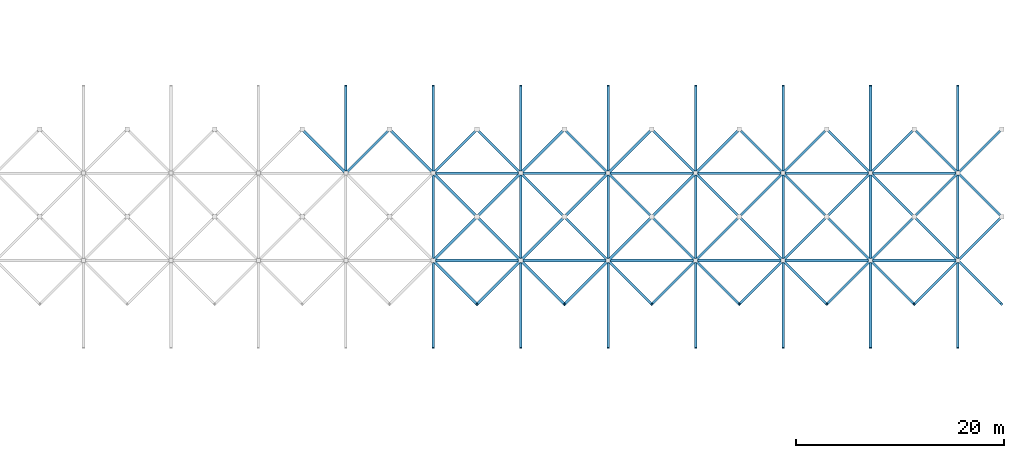
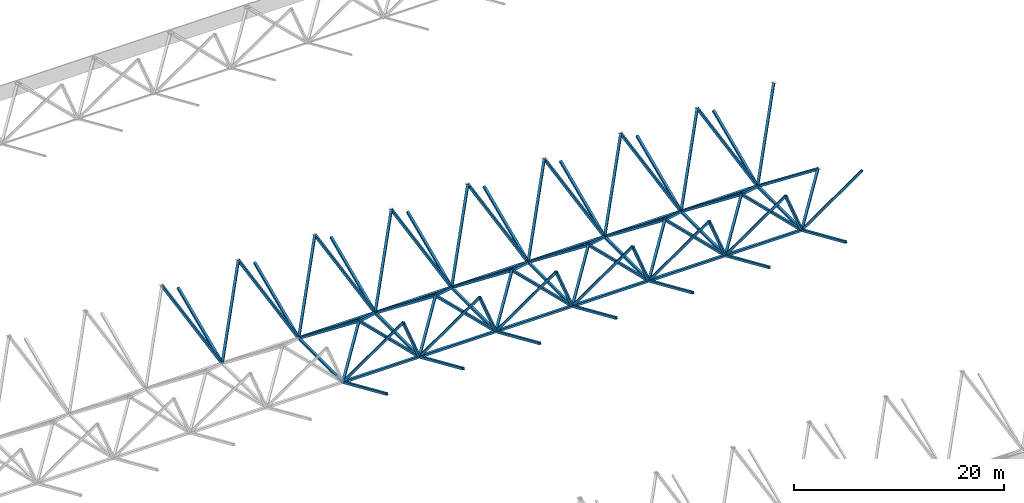
# One storey, part 24 of 85: 89 members.
"""IFC4 building model written with IfcOpenShell, lengths in metres."""

from ifc_helpers import new_model, si_unit, direction, frame, origin, origin_2d, place, context, subcontext, project, spatial, hollow_rectangle, extrude, material, material_profile, profile_set, type_object, element, save


model = new_model("IFC4")

# Units and contexts
model_context = context("Model", 3, precision=1e-05, world=origin(), true_north=direction((0.0, 1.0)))
body_context = subcontext(model_context, "Body", "Model", "MODEL_VIEW")
ifc_project = project(units=[si_unit("LENGTHUNIT", "METRE"), si_unit("AREAUNIT", "SQUARE_METRE"), si_unit("VOLUMEUNIT", "CUBIC_METRE"), si_unit("PLANEANGLEUNIT", "RADIAN"), si_unit("MASSUNIT", "GRAM", prefix="KILO")], contexts=[model_context])

# Site, building, storey
site_placement = place(None, origin())
site = spatial("IfcSite", under=ifc_project, at=site_placement, CompositionType="ELEMENT")
building_placement = place(site_placement, origin())
building = spatial("IfcBuilding", under=site, at=building_placement, Name="Rain Tree Exposition and Congress Centre", CompositionType="ELEMENT")
storey_placement = place(building_placement, frame((0.0, 0.0, 15.0)))
storey = spatial("IfcBuildingStorey", under=building, at=storey_placement, Name="L03", CompositionType="ELEMENT", Elevation=15.0)

# Members
ifc_material_1 = material(Name="Steel S355J2H", Category="steel")
ifc_material_profile_1 = material_profile(ifc_material_1, hollow_rectangle(XDim=0.25, YDim=0.25, WallThickness=0.006103515625, at=origin_2d()), Name="RHS 250x250x6")
ifc_profile_set_1 = profile_set([ifc_material_profile_1], Name="Steel S355J2H")
member_type_1 = type_object("IfcMemberType", Name="Steel brace member RHS 250x250x6", PredefinedType="BRACE", material=ifc_profile_set_1)
member_1_placement = place(storey_placement, frame((189.0, 147.0, 1.77294921875), z_axis=(0.422505540408, -0.422505540408, 0.801859175073), x_axis=(0.707106781187, 0.707106781187, 0.0)))
element("IfcMember", 1, at=member_1_placement, inside=storey, type_object=member_type_1, Name="Diagonal 699", PredefinedType="BRACE", context=body_context, shape_type="SweptSolid", body=[
    extrude(hollow_rectangle(XDim=0.25, YDim=0.25, WallThickness=0.006103515625, at=origin_2d()), origin(), (0.0, 0.0, 1.0), 9.940673828125),
])
member_2_placement = place(storey_placement, frame((189.0, 147.0, 1.77294921875), z_axis=(0.627852053381, 0.627852053381, 0.460003910993), x_axis=(-0.707106781187, 0.707106781187, 0.0)))
element("IfcMember", 2, at=member_2_placement, inside=storey, type_object=member_type_1, Name="Diagonal 701", PredefinedType="BRACE", context=body_context, shape_type="SweptSolid", body=[
    extrude(hollow_rectangle(XDim=0.25, YDim=0.25, WallThickness=0.006103515625, at=origin_2d()), origin(), (0.0, 0.0, 1.0), 6.689453125),
])
for number, where, z_axis, x_axis, name in (
    (3, (197.39990234375, 147.0, 1.77294921875), (-0.422505540408, -0.422505540408, 0.801859175073), (0.707106781187, -0.707106781187, 0.0), "Diagonal 704"),
    (4, (197.39990234375, 147.0, 1.77294921875), (0.422525715859, -0.422501156122, 0.801850854283), (0.70708622964, 0.707127332136, 0.0), "Diagonal 705"),
):
    element("IfcMember", number, at=place(storey_placement, frame(where, z_axis=z_axis, x_axis=x_axis)), inside=storey, type_object=member_type_1, Name=name, PredefinedType="BRACE", context=body_context, shape_type="SweptSolid", body=[
        extrude(hollow_rectangle(XDim=0.25, YDim=0.25, WallThickness=0.006103515625, at=origin_2d()), origin(), (0.0, 0.0, 1.0), 9.940673828125),
    ])
for number, where, z_axis, x_axis, name in (
    (5, (197.39990234375, 147.0, 1.77294921875), (-0.627852053381, 0.627852053381, 0.460003910993), (-0.707106781187, -0.707106781187, 0.0), "Diagonal 706"),
    (6, (197.39990234375, 147.0, 1.77294921875), (0.627874162364, 0.62783766654, 0.459993370288), (-0.70708622964, 0.707127332136, 0.0), "Diagonal 707"),
):
    element("IfcMember", number, at=place(storey_placement, frame(where, z_axis=z_axis, x_axis=x_axis)), inside=storey, type_object=member_type_1, Name=name, PredefinedType="BRACE", context=body_context, shape_type="SweptSolid", body=[
        extrude(hollow_rectangle(XDim=0.25, YDim=0.25, WallThickness=0.006103515625, at=origin_2d()), origin(), (0.0, 0.0, 1.0), 6.689453125),
    ])
for number, where, z_axis, x_axis, name in (
    (7, (205.800048828125, 147.0, 1.77294921875), (-0.422505540408, -0.422505540408, 0.801859175073), (0.707106781187, -0.707106781187, 0.0), "Diagonal 710"),
    (8, (205.800048828125, 147.0, 1.77294921875), (0.422505540408, -0.422505540408, 0.801859175073), (0.707106781187, 0.707106781187, 0.0), "Diagonal 711"),
):
    element("IfcMember", number, at=place(storey_placement, frame(where, z_axis=z_axis, x_axis=x_axis)), inside=storey, type_object=member_type_1, Name=name, PredefinedType="BRACE", context=body_context, shape_type="SweptSolid", body=[
        extrude(hollow_rectangle(XDim=0.25, YDim=0.25, WallThickness=0.006103515625, at=origin_2d()), origin(), (0.0, 0.0, 1.0), 9.940673828125),
    ])
for number, where, z_axis, x_axis, name in (
    (9, (205.800048828125, 147.0, 1.77294921875), (-0.627852053381, 0.627852053381, 0.460003910993), (-0.707106781187, -0.707106781187, 0.0), "Diagonal 712"),
    (10, (205.800048828125, 147.0, 1.77294921875), (0.627852053381, 0.627852053381, 0.460003910993), (-0.707106781187, 0.707106781187, 0.0), "Diagonal 713"),
):
    element("IfcMember", number, at=place(storey_placement, frame(where, z_axis=z_axis, x_axis=x_axis)), inside=storey, type_object=member_type_1, Name=name, PredefinedType="BRACE", context=body_context, shape_type="SweptSolid", body=[
        extrude(hollow_rectangle(XDim=0.25, YDim=0.25, WallThickness=0.006103515625, at=origin_2d()), origin(), (0.0, 0.0, 1.0), 6.689453125),
    ])
for number, where, z_axis, x_axis, name in (
    (11, (214.199951171875, 147.0, 1.77294921875), (-0.422505540408, -0.422505540408, 0.801859175073), (0.707106781187, -0.707106781187, 0.0), "Diagonal 716"),
    (12, (214.199951171875, 147.0, 1.77294921875), (0.422505540408, -0.422505540408, 0.801859175073), (0.707106781187, 0.707106781187, 0.0), "Diagonal 717"),
):
    element("IfcMember", number, at=place(storey_placement, frame(where, z_axis=z_axis, x_axis=x_axis)), inside=storey, type_object=member_type_1, Name=name, PredefinedType="BRACE", context=body_context, shape_type="SweptSolid", body=[
        extrude(hollow_rectangle(XDim=0.25, YDim=0.25, WallThickness=0.006103515625, at=origin_2d()), origin(), (0.0, 0.0, 1.0), 9.940673828125),
    ])
for number, where, z_axis, x_axis, name in (
    (13, (214.199951171875, 147.0, 1.77294921875), (-0.627852053381, 0.627852053381, 0.460003910993), (-0.707106781187, -0.707106781187, 0.0), "Diagonal 718"),
    (14, (214.199951171875, 147.0, 1.77294921875), (0.627852053381, 0.627852053381, 0.460003910993), (-0.707106781187, 0.707106781187, 0.0), "Diagonal 719"),
):
    element("IfcMember", number, at=place(storey_placement, frame(where, z_axis=z_axis, x_axis=x_axis)), inside=storey, type_object=member_type_1, Name=name, PredefinedType="BRACE", context=body_context, shape_type="SweptSolid", body=[
        extrude(hollow_rectangle(XDim=0.25, YDim=0.25, WallThickness=0.006103515625, at=origin_2d()), origin(), (0.0, 0.0, 1.0), 6.689453125),
    ])
for number, where, z_axis, x_axis, name in (
    (15, (222.60009765625, 147.0, 1.77294921875), (-0.422525715859, -0.422501156122, 0.801850854283), (0.70708622964, -0.707127332136, 0.0), "Diagonal 722"),
    (16, (222.60009765625, 147.0, 1.77294921875), (0.422505540408, -0.422505540408, 0.801859175073), (0.707106781187, 0.707106781187, 0.0), "Diagonal 723"),
):
    element("IfcMember", number, at=place(storey_placement, frame(where, z_axis=z_axis, x_axis=x_axis)), inside=storey, type_object=member_type_1, Name=name, PredefinedType="BRACE", context=body_context, shape_type="SweptSolid", body=[
        extrude(hollow_rectangle(XDim=0.25, YDim=0.25, WallThickness=0.006103515625, at=origin_2d()), origin(), (0.0, 0.0, 1.0), 9.940673828125),
    ])
for number, where, z_axis, x_axis, name in (
    (17, (222.60009765625, 147.0, 1.77294921875), (-0.627874162364, 0.62783766654, 0.459993370288), (-0.70708622964, -0.707127332136, 0.0), "Diagonal 724"),
    (18, (222.60009765625, 147.0, 1.77294921875), (0.627852053381, 0.627852053381, 0.460003910993), (-0.707106781187, 0.707106781187, 0.0), "Diagonal 725"),
):
    element("IfcMember", number, at=place(storey_placement, frame(where, z_axis=z_axis, x_axis=x_axis)), inside=storey, type_object=member_type_1, Name=name, PredefinedType="BRACE", context=body_context, shape_type="SweptSolid", body=[
        extrude(hollow_rectangle(XDim=0.25, YDim=0.25, WallThickness=0.006103515625, at=origin_2d()), origin(), (0.0, 0.0, 1.0), 6.689453125),
    ])
for number, where, z_axis, x_axis, name in (
    (19, (231.0, 147.0, 1.77294921875), (-0.422505540408, -0.422505540408, 0.801859175073), (0.707106781187, -0.707106781187, 0.0), "Diagonal 728"),
    (20, (231.0, 147.0, 1.77294921875), (0.422505540408, -0.422505540408, 0.801859175073), (0.707106781187, 0.707106781187, 0.0), "Diagonal 729"),
):
    element("IfcMember", number, at=place(storey_placement, frame(where, z_axis=z_axis, x_axis=x_axis)), inside=storey, type_object=member_type_1, Name=name, PredefinedType="BRACE", context=body_context, shape_type="SweptSolid", body=[
        extrude(hollow_rectangle(XDim=0.25, YDim=0.25, WallThickness=0.006103515625, at=origin_2d()), origin(), (0.0, 0.0, 1.0), 9.940673828125),
    ])
for number, where, z_axis, x_axis, name in (
    (21, (231.0, 147.0, 1.77294921875), (-0.627852053381, 0.627852053381, 0.460003910993), (-0.707106781187, -0.707106781187, 0.0), "Diagonal 730"),
    (22, (231.0, 147.0, 1.77294921875), (0.627852053381, 0.627852053381, 0.460003910993), (-0.707106781187, 0.707106781187, 0.0), "Diagonal 731"),
):
    element("IfcMember", number, at=place(storey_placement, frame(where, z_axis=z_axis, x_axis=x_axis)), inside=storey, type_object=member_type_1, Name=name, PredefinedType="BRACE", context=body_context, shape_type="SweptSolid", body=[
        extrude(hollow_rectangle(XDim=0.25, YDim=0.25, WallThickness=0.006103515625, at=origin_2d()), origin(), (0.0, 0.0, 1.0), 6.689453125),
    ])
for number, where, z_axis, x_axis, name in (
    (23, (239.39990234375, 147.0, 1.77294921875), (-0.422505540408, -0.422505540408, 0.801859175073), (0.707106781187, -0.707106781187, 0.0), "Diagonal 734"),
    (24, (239.39990234375, 147.0, 1.77294921875), (0.422525715859, -0.422501156122, 0.801850854283), (0.70708622964, 0.707127332136, 0.0), "Diagonal 735"),
):
    element("IfcMember", number, at=place(storey_placement, frame(where, z_axis=z_axis, x_axis=x_axis)), inside=storey, type_object=member_type_1, Name=name, PredefinedType="BRACE", context=body_context, shape_type="SweptSolid", body=[
        extrude(hollow_rectangle(XDim=0.25, YDim=0.25, WallThickness=0.006103515625, at=origin_2d()), origin(), (0.0, 0.0, 1.0), 9.940673828125),
    ])
for number, where, z_axis, x_axis, name in (
    (25, (239.39990234375, 147.0, 1.77294921875), (-0.627852053381, 0.627852053381, 0.460003910993), (-0.707106781187, -0.707106781187, 0.0), "Diagonal 736"),
    (26, (239.39990234375, 147.0, 1.77294921875), (0.627874162364, 0.62783766654, 0.459993370288), (-0.70708622964, 0.707127332136, 0.0), "Diagonal 737"),
):
    element("IfcMember", number, at=place(storey_placement, frame(where, z_axis=z_axis, x_axis=x_axis)), inside=storey, type_object=member_type_1, Name=name, PredefinedType="BRACE", context=body_context, shape_type="SweptSolid", body=[
        extrude(hollow_rectangle(XDim=0.25, YDim=0.25, WallThickness=0.006103515625, at=origin_2d()), origin(), (0.0, 0.0, 1.0), 6.689453125),
    ])
for number, where, z_axis, x_axis, name in (
    (27, (180.60009765625, 155.39990234375, 1.77294921875), (-0.422521331454, 0.422521331454, 0.801842533751), (-0.707106781187, -0.707106781187, 0.0), "Diagonal 765"),
    (28, (180.60009765625, 155.39990234375, 1.77294921875), (0.422501156122, 0.422525715859, 0.801850854283), (-0.707127332136, 0.70708622964, 0.0), "Diagonal 766"),
):
    element("IfcMember", number, at=place(storey_placement, frame(where, z_axis=z_axis, x_axis=x_axis)), inside=storey, type_object=member_type_1, Name=name, PredefinedType="BRACE", context=body_context, shape_type="SweptSolid", body=[
        extrude(hollow_rectangle(XDim=0.25, YDim=0.25, WallThickness=0.006103515625, at=origin_2d()), origin(), (0.0, 0.0, 1.0), 9.940673828125),
    ])
member_3_placement = place(storey_placement, frame((189.0, 155.39990234375, 1.77294921875), z_axis=(0.627852053381, -0.627852053381, 0.460003910993), x_axis=(0.707106781187, 0.707106781187, 0.0)))
element("IfcMember", 29, at=member_3_placement, inside=storey, type_object=member_type_1, Name="Diagonal 770", PredefinedType="BRACE", context=body_context, shape_type="SweptSolid", body=[
    extrude(hollow_rectangle(XDim=0.25, YDim=0.25, WallThickness=0.006103515625, at=origin_2d()), origin(), (0.0, 0.0, 1.0), 6.689453125),
])
for number, where, z_axis, x_axis, name in (
    (30, (189.0, 155.39990234375, 1.77294921875), (-0.422501156122, 0.422525715859, 0.801850854283), (-0.707127332136, -0.70708622964, 0.0), "Diagonal 771"),
    (31, (189.0, 155.39990234375, 1.77294921875), (0.422501156122, 0.422525715859, 0.801850854283), (-0.707127332136, 0.70708622964, 0.0), "Diagonal 772"),
):
    element("IfcMember", number, at=place(storey_placement, frame(where, z_axis=z_axis, x_axis=x_axis)), inside=storey, type_object=member_type_1, Name=name, PredefinedType="BRACE", context=body_context, shape_type="SweptSolid", body=[
        extrude(hollow_rectangle(XDim=0.25, YDim=0.25, WallThickness=0.006103515625, at=origin_2d()), origin(), (0.0, 0.0, 1.0), 9.940673828125),
    ])
for number, where, z_axis, x_axis, name in (
    (32, (197.39990234375, 155.39990234375, 1.77294921875), (-0.627852053381, -0.627852053381, 0.460003910993), (0.707106781187, -0.707106781187, 0.0), "Diagonal 775"),
    (33, (197.39990234375, 155.39990234375, 1.77294921875), (0.627874162364, -0.62783766654, 0.459993370288), (0.70708622964, 0.707127332136, 0.0), "Diagonal 776"),
):
    element("IfcMember", number, at=place(storey_placement, frame(where, z_axis=z_axis, x_axis=x_axis)), inside=storey, type_object=member_type_1, Name=name, PredefinedType="BRACE", context=body_context, shape_type="SweptSolid", body=[
        extrude(hollow_rectangle(XDim=0.25, YDim=0.25, WallThickness=0.006103515625, at=origin_2d()), origin(), (0.0, 0.0, 1.0), 6.689453125),
    ])
for number, where, z_axis, x_axis, name in (
    (34, (197.39990234375, 155.39990234375, 1.77294921875), (-0.422501156122, 0.422525715859, 0.801850854283), (-0.707127332136, -0.70708622964, 0.0), "Diagonal 777"),
    (35, (197.39990234375, 155.39990234375, 1.77294921875), (0.422521331454, 0.422521331454, 0.801842533751), (-0.707106781187, 0.707106781187, 0.0), "Diagonal 778"),
):
    element("IfcMember", number, at=place(storey_placement, frame(where, z_axis=z_axis, x_axis=x_axis)), inside=storey, type_object=member_type_1, Name=name, PredefinedType="BRACE", context=body_context, shape_type="SweptSolid", body=[
        extrude(hollow_rectangle(XDim=0.25, YDim=0.25, WallThickness=0.006103515625, at=origin_2d()), origin(), (0.0, 0.0, 1.0), 9.940673828125),
    ])
for number, where, z_axis, x_axis, name in (
    (36, (205.800048828125, 155.39990234375, 1.77294921875), (-0.627852053381, -0.627852053381, 0.460003910993), (0.707106781187, -0.707106781187, 0.0), "Diagonal 781"),
    (37, (205.800048828125, 155.39990234375, 1.77294921875), (0.627852053381, -0.627852053381, 0.460003910993), (0.707106781187, 0.707106781187, 0.0), "Diagonal 782"),
):
    element("IfcMember", number, at=place(storey_placement, frame(where, z_axis=z_axis, x_axis=x_axis)), inside=storey, type_object=member_type_1, Name=name, PredefinedType="BRACE", context=body_context, shape_type="SweptSolid", body=[
        extrude(hollow_rectangle(XDim=0.25, YDim=0.25, WallThickness=0.006103515625, at=origin_2d()), origin(), (0.0, 0.0, 1.0), 6.689453125),
    ])
for number, where, z_axis, x_axis, name in (
    (38, (205.800048828125, 155.39990234375, 1.77294921875), (-0.422501156122, 0.422525715859, 0.801850854283), (-0.707127332136, -0.70708622964, 0.0), "Diagonal 783"),
    (39, (205.800048828125, 155.39990234375, 1.77294921875), (0.422501156122, 0.422525715859, 0.801850854283), (-0.707127332136, 0.70708622964, 0.0), "Diagonal 784"),
):
    element("IfcMember", number, at=place(storey_placement, frame(where, z_axis=z_axis, x_axis=x_axis)), inside=storey, type_object=member_type_1, Name=name, PredefinedType="BRACE", context=body_context, shape_type="SweptSolid", body=[
        extrude(hollow_rectangle(XDim=0.25, YDim=0.25, WallThickness=0.006103515625, at=origin_2d()), origin(), (0.0, 0.0, 1.0), 9.940673828125),
    ])
for number, where, z_axis, x_axis, name in (
    (40, (214.199951171875, 155.39990234375, 1.77294921875), (-0.627852053381, -0.627852053381, 0.460003910993), (0.707106781187, -0.707106781187, 0.0), "Diagonal 787"),
    (41, (214.199951171875, 155.39990234375, 1.77294921875), (0.627852053381, -0.627852053381, 0.460003910993), (0.707106781187, 0.707106781187, 0.0), "Diagonal 788"),
):
    element("IfcMember", number, at=place(storey_placement, frame(where, z_axis=z_axis, x_axis=x_axis)), inside=storey, type_object=member_type_1, Name=name, PredefinedType="BRACE", context=body_context, shape_type="SweptSolid", body=[
        extrude(hollow_rectangle(XDim=0.25, YDim=0.25, WallThickness=0.006103515625, at=origin_2d()), origin(), (0.0, 0.0, 1.0), 6.689453125),
    ])
for number, where, z_axis, x_axis, name in (
    (42, (214.199951171875, 155.39990234375, 1.77294921875), (-0.422501156122, 0.422525715859, 0.801850854283), (-0.707127332136, -0.70708622964, 0.0), "Diagonal 789"),
    (43, (214.199951171875, 155.39990234375, 1.77294921875), (0.422501156122, 0.422525715859, 0.801850854283), (-0.707127332136, 0.70708622964, 0.0), "Diagonal 790"),
):
    element("IfcMember", number, at=place(storey_placement, frame(where, z_axis=z_axis, x_axis=x_axis)), inside=storey, type_object=member_type_1, Name=name, PredefinedType="BRACE", context=body_context, shape_type="SweptSolid", body=[
        extrude(hollow_rectangle(XDim=0.25, YDim=0.25, WallThickness=0.006103515625, at=origin_2d()), origin(), (0.0, 0.0, 1.0), 9.940673828125),
    ])
for number, where, z_axis, x_axis, name in (
    (44, (222.60009765625, 155.39990234375, 1.77294921875), (-0.627874162364, -0.62783766654, 0.459993370288), (0.70708622964, -0.707127332136, 0.0), "Diagonal 793"),
    (45, (222.60009765625, 155.39990234375, 1.77294921875), (0.627852053381, -0.627852053381, 0.460003910993), (0.707106781187, 0.707106781187, 0.0), "Diagonal 794"),
):
    element("IfcMember", number, at=place(storey_placement, frame(where, z_axis=z_axis, x_axis=x_axis)), inside=storey, type_object=member_type_1, Name=name, PredefinedType="BRACE", context=body_context, shape_type="SweptSolid", body=[
        extrude(hollow_rectangle(XDim=0.25, YDim=0.25, WallThickness=0.006103515625, at=origin_2d()), origin(), (0.0, 0.0, 1.0), 6.689453125),
    ])
for number, where, z_axis, x_axis, name in (
    (46, (222.60009765625, 155.39990234375, 1.77294921875), (-0.422521331454, 0.422521331454, 0.801842533751), (-0.707106781187, -0.707106781187, 0.0), "Diagonal 795"),
    (47, (222.60009765625, 155.39990234375, 1.77294921875), (0.422501156122, 0.422525715859, 0.801850854283), (-0.707127332136, 0.70708622964, 0.0), "Diagonal 796"),
):
    element("IfcMember", number, at=place(storey_placement, frame(where, z_axis=z_axis, x_axis=x_axis)), inside=storey, type_object=member_type_1, Name=name, PredefinedType="BRACE", context=body_context, shape_type="SweptSolid", body=[
        extrude(hollow_rectangle(XDim=0.25, YDim=0.25, WallThickness=0.006103515625, at=origin_2d()), origin(), (0.0, 0.0, 1.0), 9.940673828125),
    ])
for number, where, z_axis, x_axis, name in (
    (48, (231.0, 155.39990234375, 1.77294921875), (-0.627852053381, -0.627852053381, 0.460003910993), (0.707106781187, -0.707106781187, 0.0), "Diagonal 799"),
    (49, (231.0, 155.39990234375, 1.77294921875), (0.627852053381, -0.627852053381, 0.460003910993), (0.707106781187, 0.707106781187, 0.0), "Diagonal 800"),
):
    element("IfcMember", number, at=place(storey_placement, frame(where, z_axis=z_axis, x_axis=x_axis)), inside=storey, type_object=member_type_1, Name=name, PredefinedType="BRACE", context=body_context, shape_type="SweptSolid", body=[
        extrude(hollow_rectangle(XDim=0.25, YDim=0.25, WallThickness=0.006103515625, at=origin_2d()), origin(), (0.0, 0.0, 1.0), 6.689453125),
    ])
for number, where, z_axis, x_axis, name in (
    (50, (231.0, 155.39990234375, 1.77294921875), (-0.422501156122, 0.422525715859, 0.801850854283), (-0.707127332136, -0.70708622964, 0.0), "Diagonal 801"),
    (51, (231.0, 155.39990234375, 1.77294921875), (0.422501156122, 0.422525715859, 0.801850854283), (-0.707127332136, 0.70708622964, 0.0), "Diagonal 802"),
):
    element("IfcMember", number, at=place(storey_placement, frame(where, z_axis=z_axis, x_axis=x_axis)), inside=storey, type_object=member_type_1, Name=name, PredefinedType="BRACE", context=body_context, shape_type="SweptSolid", body=[
        extrude(hollow_rectangle(XDim=0.25, YDim=0.25, WallThickness=0.006103515625, at=origin_2d()), origin(), (0.0, 0.0, 1.0), 9.940673828125),
    ])
for number, where, z_axis, x_axis, name in (
    (52, (239.39990234375, 155.39990234375, 1.77294921875), (-0.627852053381, -0.627852053381, 0.460003910993), (0.707106781187, -0.707106781187, 0.0), "Diagonal 805"),
    (53, (239.39990234375, 155.39990234375, 1.77294921875), (0.627874162364, -0.62783766654, 0.459993370288), (0.70708622964, 0.707127332136, 0.0), "Diagonal 806"),
):
    element("IfcMember", number, at=place(storey_placement, frame(where, z_axis=z_axis, x_axis=x_axis)), inside=storey, type_object=member_type_1, Name=name, PredefinedType="BRACE", context=body_context, shape_type="SweptSolid", body=[
        extrude(hollow_rectangle(XDim=0.25, YDim=0.25, WallThickness=0.006103515625, at=origin_2d()), origin(), (0.0, 0.0, 1.0), 6.689453125),
    ])
for number, where, z_axis, x_axis, name in (
    (54, (239.39990234375, 155.39990234375, 1.77294921875), (-0.422501156122, 0.422525715859, 0.801850854283), (-0.707127332136, -0.70708622964, 0.0), "Diagonal 807"),
    (55, (239.39990234375, 155.39990234375, 1.77294921875), (0.422521331454, 0.422521331454, 0.801842533751), (-0.707106781187, 0.707106781187, 0.0), "Diagonal 808"),
):
    element("IfcMember", number, at=place(storey_placement, frame(where, z_axis=z_axis, x_axis=x_axis)), inside=storey, type_object=member_type_1, Name=name, PredefinedType="BRACE", context=body_context, shape_type="SweptSolid", body=[
        extrude(hollow_rectangle(XDim=0.25, YDim=0.25, WallThickness=0.006103515625, at=origin_2d()), origin(), (0.0, 0.0, 1.0), 9.940673828125),
    ])
ifc_material_2 = material(Name="Steel S355J2H", Category="steel")
ifc_material_profile_2 = material_profile(ifc_material_2, hollow_rectangle(XDim=0.25, YDim=0.25, WallThickness=0.006103515625, at=origin_2d()), Name="RHS 250x250x6")
ifc_profile_set_2 = profile_set([ifc_material_profile_2], Name="Steel S355J2H")
member_type_2 = type_object("IfcMemberType", Name="Steel chord member RHS 250x250x6", PredefinedType="CHORD", material=ifc_profile_set_2)
for number, where, z_axis, x_axis, name in (
    (56, (189.0, 138.60009765625, 5.465087890625), (0.0, 0.915468371114, -0.402389937114), (-1.0, 0.0, 0.0), "Bottom chord 632"),
    (57, (197.39990234375, 138.60009765625, 5.465087890625), (0.0, 0.915468371114, -0.402389937114), (-1.0, 0.0, 0.0), "Bottom chord 638"),
    (58, (205.800048828125, 138.60009765625, 5.465087890625), (0.0, 0.915468371114, -0.402389937114), (-1.0, 0.0, 0.0), "Bottom chord 644"),
    (59, (214.199951171875, 138.60009765625, 5.465087890625), (0.0, 0.915468371114, -0.402389937114), (-1.0, 0.0, 0.0), "Bottom chord 650"),
    (60, (222.60009765625, 138.60009765625, 5.465087890625), (0.0, 0.915468371114, -0.402389937114), (-1.0, 0.0, 0.0), "Bottom chord 656"),
    (61, (231.0, 138.60009765625, 5.465087890625), (0.0, 0.915468371114, -0.402389937114), (-1.0, 0.0, 0.0), "Bottom chord 662"),
    (62, (239.39990234375, 138.60009765625, 5.465087890625), (0.0, 0.915468371114, -0.402389937114), (-1.0, 0.0, 0.0), "Bottom chord 667"),
):
    element("IfcMember", number, at=place(storey_placement, frame(where, z_axis=z_axis, x_axis=x_axis)), inside=storey, type_object=member_type_2, Name=name, PredefinedType="CHORD", context=body_context, shape_type="SweptSolid", body=[
        extrude(hollow_rectangle(XDim=0.25, YDim=0.25, WallThickness=0.006103515625, at=origin_2d()), origin(), (0.0, 0.0, 1.0), 9.175537109375),
    ])
for number, where, z_axis, x_axis, name in (
    (63, (189.0, 147.0, 1.77294921875), (1.0, 0.0, 0.0), (0.0, 1.0, 0.0), "Bottom chord 702"),
    (64, (189.0, 147.0, 1.77294921875), (0.0, 1.0, 0.0), (-1.0, 0.0, 0.0), "Bottom chord 703"),
):
    element("IfcMember", number, at=place(storey_placement, frame(where, z_axis=z_axis, x_axis=x_axis)), inside=storey, type_object=member_type_2, Name=name, PredefinedType="CHORD", context=body_context, shape_type="SweptSolid", body=[
        extrude(hollow_rectangle(XDim=0.25, YDim=0.25, WallThickness=0.006103515625, at=origin_2d()), origin(), (0.0, 0.0, 1.0), 8.39990234375),
    ])
member_4_placement = place(storey_placement, frame((197.39990234375, 147.0, 1.77294921875), z_axis=(1.0, 0.0, 0.0), x_axis=(0.0, 1.0, 0.0)))
element("IfcMember", 65, at=member_4_placement, inside=storey, type_object=member_type_2, Name="Bottom chord 708", PredefinedType="CHORD", context=body_context, shape_type="SweptSolid", body=[
    extrude(hollow_rectangle(XDim=0.25, YDim=0.25, WallThickness=0.006103515625, at=origin_2d()), origin(), (0.0, 0.0, 1.0), 8.400146484375),
])
for number, where, z_axis, x_axis, name in (
    (66, (197.39990234375, 147.0, 1.77294921875), (0.0, 1.0, 0.0), (-1.0, 0.0, 0.0), "Bottom chord 709"),
    (67, (205.800048828125, 147.0, 1.77294921875), (1.0, 0.0, 0.0), (0.0, 1.0, 0.0), "Bottom chord 714"),
    (68, (205.800048828125, 147.0, 1.77294921875), (0.0, 1.0, 0.0), (-1.0, 0.0, 0.0), "Bottom chord 715"),
):
    element("IfcMember", number, at=place(storey_placement, frame(where, z_axis=z_axis, x_axis=x_axis)), inside=storey, type_object=member_type_2, Name=name, PredefinedType="CHORD", context=body_context, shape_type="SweptSolid", body=[
        extrude(hollow_rectangle(XDim=0.25, YDim=0.25, WallThickness=0.006103515625, at=origin_2d()), origin(), (0.0, 0.0, 1.0), 8.39990234375),
    ])
member_5_placement = place(storey_placement, frame((214.199951171875, 147.0, 1.77294921875), z_axis=(1.0, 0.0, 0.0), x_axis=(0.0, 1.0, 0.0)))
element("IfcMember", 69, at=member_5_placement, inside=storey, type_object=member_type_2, Name="Bottom chord 720", PredefinedType="CHORD", context=body_context, shape_type="SweptSolid", body=[
    extrude(hollow_rectangle(XDim=0.25, YDim=0.25, WallThickness=0.006103515625, at=origin_2d()), origin(), (0.0, 0.0, 1.0), 8.400146484375),
])
for number, where, z_axis, x_axis, name in (
    (70, (214.199951171875, 147.0, 1.77294921875), (0.0, 1.0, 0.0), (-1.0, 0.0, 0.0), "Bottom chord 721"),
    (71, (222.60009765625, 147.0, 1.77294921875), (1.0, 0.0, 0.0), (0.0, 1.0, 0.0), "Bottom chord 726"),
    (72, (222.60009765625, 147.0, 1.77294921875), (0.0, 1.0, 0.0), (-1.0, 0.0, 0.0), "Bottom chord 727"),
    (73, (231.0, 147.0, 1.77294921875), (1.0, 0.0, 0.0), (0.0, 1.0, 0.0), "Bottom chord 732"),
    (74, (231.0, 147.0, 1.77294921875), (0.0, 1.0, 0.0), (-1.0, 0.0, 0.0), "Bottom chord 733"),
    (75, (239.39990234375, 147.0, 1.77294921875), (0.0, 1.0, 0.0), (-1.0, 0.0, 0.0), "Bottom chord 738"),
):
    element("IfcMember", number, at=place(storey_placement, frame(where, z_axis=z_axis, x_axis=x_axis)), inside=storey, type_object=member_type_2, Name=name, PredefinedType="CHORD", context=body_context, shape_type="SweptSolid", body=[
        extrude(hollow_rectangle(XDim=0.25, YDim=0.25, WallThickness=0.006103515625, at=origin_2d()), origin(), (0.0, 0.0, 1.0), 8.39990234375),
    ])
member_6_placement = place(storey_placement, frame((180.60009765625, 155.39990234375, 1.77294921875), z_axis=(0.0, 0.915472679231, 0.40238013567), x_axis=(-1.0, 0.0, 0.0)))
element("IfcMember", 76, at=member_6_placement, inside=storey, type_object=member_type_2, Name="Bottom chord 768", PredefinedType="CHORD", context=body_context, shape_type="SweptSolid", body=[
    extrude(hollow_rectangle(XDim=0.25, YDim=0.25, WallThickness=0.006103515625, at=origin_2d()), origin(), (0.0, 0.0, 1.0), 9.17578125),
])
member_7_placement = place(storey_placement, frame((189.0, 155.39990234375, 1.77294921875), z_axis=(1.0, 0.0, 0.0), x_axis=(0.0, 1.0, 0.0)))
element("IfcMember", 77, at=member_7_placement, inside=storey, type_object=member_type_2, Name="Bottom chord 773", PredefinedType="CHORD", context=body_context, shape_type="SweptSolid", body=[
    extrude(hollow_rectangle(XDim=0.25, YDim=0.25, WallThickness=0.006103515625, at=origin_2d()), origin(), (0.0, 0.0, 1.0), 8.39990234375),
])
member_8_placement = place(storey_placement, frame((189.0, 155.39990234375, 1.77294921875), z_axis=(0.0, 0.915472679231, 0.40238013567), x_axis=(-1.0, 0.0, 0.0)))
element("IfcMember", 78, at=member_8_placement, inside=storey, type_object=member_type_2, Name="Bottom chord 774", PredefinedType="CHORD", context=body_context, shape_type="SweptSolid", body=[
    extrude(hollow_rectangle(XDim=0.25, YDim=0.25, WallThickness=0.006103515625, at=origin_2d()), origin(), (0.0, 0.0, 1.0), 9.17578125),
])
member_9_placement = place(storey_placement, frame((197.39990234375, 155.39990234375, 1.77294921875), z_axis=(1.0, 0.0, 0.0), x_axis=(0.0, 1.0, 0.0)))
element("IfcMember", 79, at=member_9_placement, inside=storey, type_object=member_type_2, Name="Bottom chord 779", PredefinedType="CHORD", context=body_context, shape_type="SweptSolid", body=[
    extrude(hollow_rectangle(XDim=0.25, YDim=0.25, WallThickness=0.006103515625, at=origin_2d()), origin(), (0.0, 0.0, 1.0), 8.400146484375),
])
member_10_placement = place(storey_placement, frame((197.39990234375, 155.39990234375, 1.77294921875), z_axis=(0.0, 0.915472679231, 0.40238013567), x_axis=(-1.0, 0.0, 0.0)))
element("IfcMember", 80, at=member_10_placement, inside=storey, type_object=member_type_2, Name="Bottom chord 780", PredefinedType="CHORD", context=body_context, shape_type="SweptSolid", body=[
    extrude(hollow_rectangle(XDim=0.25, YDim=0.25, WallThickness=0.006103515625, at=origin_2d()), origin(), (0.0, 0.0, 1.0), 9.17578125),
])
member_11_placement = place(storey_placement, frame((205.800048828125, 155.39990234375, 1.77294921875), z_axis=(1.0, 0.0, 0.0), x_axis=(0.0, 1.0, 0.0)))
element("IfcMember", 81, at=member_11_placement, inside=storey, type_object=member_type_2, Name="Bottom chord 785", PredefinedType="CHORD", context=body_context, shape_type="SweptSolid", body=[
    extrude(hollow_rectangle(XDim=0.25, YDim=0.25, WallThickness=0.006103515625, at=origin_2d()), origin(), (0.0, 0.0, 1.0), 8.39990234375),
])
member_12_placement = place(storey_placement, frame((205.800048828125, 155.39990234375, 1.77294921875), z_axis=(0.0, 0.915472679231, 0.40238013567), x_axis=(-1.0, 0.0, 0.0)))
element("IfcMember", 82, at=member_12_placement, inside=storey, type_object=member_type_2, Name="Bottom chord 786", PredefinedType="CHORD", context=body_context, shape_type="SweptSolid", body=[
    extrude(hollow_rectangle(XDim=0.25, YDim=0.25, WallThickness=0.006103515625, at=origin_2d()), origin(), (0.0, 0.0, 1.0), 9.17578125),
])
member_13_placement = place(storey_placement, frame((214.199951171875, 155.39990234375, 1.77294921875), z_axis=(1.0, 0.0, 0.0), x_axis=(0.0, 1.0, 0.0)))
element("IfcMember", 83, at=member_13_placement, inside=storey, type_object=member_type_2, Name="Bottom chord 791", PredefinedType="CHORD", context=body_context, shape_type="SweptSolid", body=[
    extrude(hollow_rectangle(XDim=0.25, YDim=0.25, WallThickness=0.006103515625, at=origin_2d()), origin(), (0.0, 0.0, 1.0), 8.400146484375),
])
member_14_placement = place(storey_placement, frame((214.199951171875, 155.39990234375, 1.77294921875), z_axis=(0.0, 0.915472679231, 0.40238013567), x_axis=(-1.0, 0.0, 0.0)))
element("IfcMember", 84, at=member_14_placement, inside=storey, type_object=member_type_2, Name="Bottom chord 792", PredefinedType="CHORD", context=body_context, shape_type="SweptSolid", body=[
    extrude(hollow_rectangle(XDim=0.25, YDim=0.25, WallThickness=0.006103515625, at=origin_2d()), origin(), (0.0, 0.0, 1.0), 9.17578125),
])
member_15_placement = place(storey_placement, frame((222.60009765625, 155.39990234375, 1.77294921875), z_axis=(1.0, 0.0, 0.0), x_axis=(0.0, 1.0, 0.0)))
element("IfcMember", 85, at=member_15_placement, inside=storey, type_object=member_type_2, Name="Bottom chord 797", PredefinedType="CHORD", context=body_context, shape_type="SweptSolid", body=[
    extrude(hollow_rectangle(XDim=0.25, YDim=0.25, WallThickness=0.006103515625, at=origin_2d()), origin(), (0.0, 0.0, 1.0), 8.39990234375),
])
member_16_placement = place(storey_placement, frame((222.60009765625, 155.39990234375, 1.77294921875), z_axis=(0.0, 0.915472679231, 0.40238013567), x_axis=(-1.0, 0.0, 0.0)))
element("IfcMember", 86, at=member_16_placement, inside=storey, type_object=member_type_2, Name="Bottom chord 798", PredefinedType="CHORD", context=body_context, shape_type="SweptSolid", body=[
    extrude(hollow_rectangle(XDim=0.25, YDim=0.25, WallThickness=0.006103515625, at=origin_2d()), origin(), (0.0, 0.0, 1.0), 9.17578125),
])
member_17_placement = place(storey_placement, frame((231.0, 155.39990234375, 1.77294921875), z_axis=(1.0, 0.0, 0.0), x_axis=(0.0, 1.0, 0.0)))
element("IfcMember", 87, at=member_17_placement, inside=storey, type_object=member_type_2, Name="Bottom chord 803", PredefinedType="CHORD", context=body_context, shape_type="SweptSolid", body=[
    extrude(hollow_rectangle(XDim=0.25, YDim=0.25, WallThickness=0.006103515625, at=origin_2d()), origin(), (0.0, 0.0, 1.0), 8.39990234375),
])
for number, where, z_axis, x_axis, name in (
    (88, (231.0, 155.39990234375, 1.77294921875), (0.0, 0.915472679231, 0.40238013567), (-1.0, 0.0, 0.0), "Bottom chord 804"),
    (89, (239.39990234375, 155.39990234375, 1.77294921875), (0.0, 0.915472679231, 0.40238013567), (-1.0, 0.0, 0.0), "Bottom chord 809"),
):
    element("IfcMember", number, at=place(storey_placement, frame(where, z_axis=z_axis, x_axis=x_axis)), inside=storey, type_object=member_type_2, Name=name, PredefinedType="CHORD", context=body_context, shape_type="SweptSolid", body=[
        extrude(hollow_rectangle(XDim=0.25, YDim=0.25, WallThickness=0.006103515625, at=origin_2d()), origin(), (0.0, 0.0, 1.0), 9.17578125),
    ])

save(model, "model.ifc")
